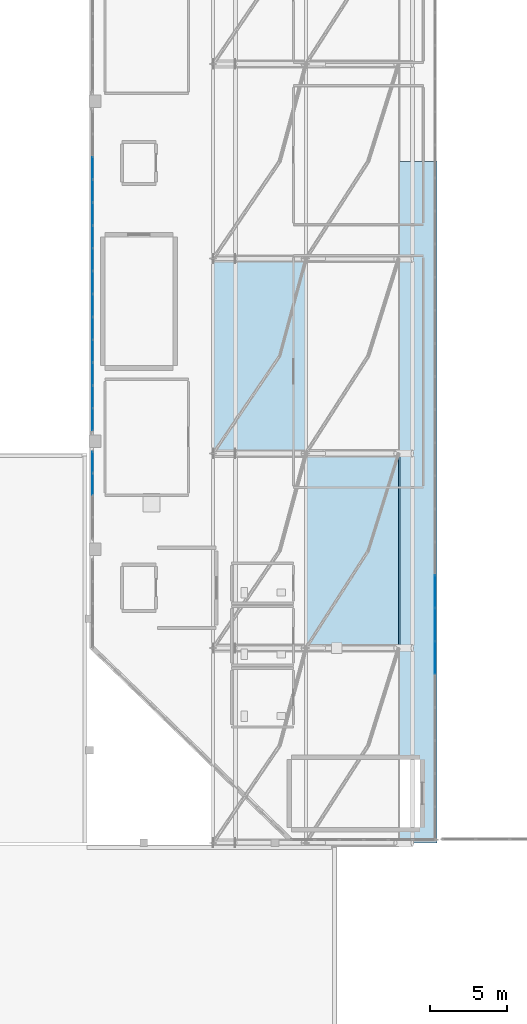
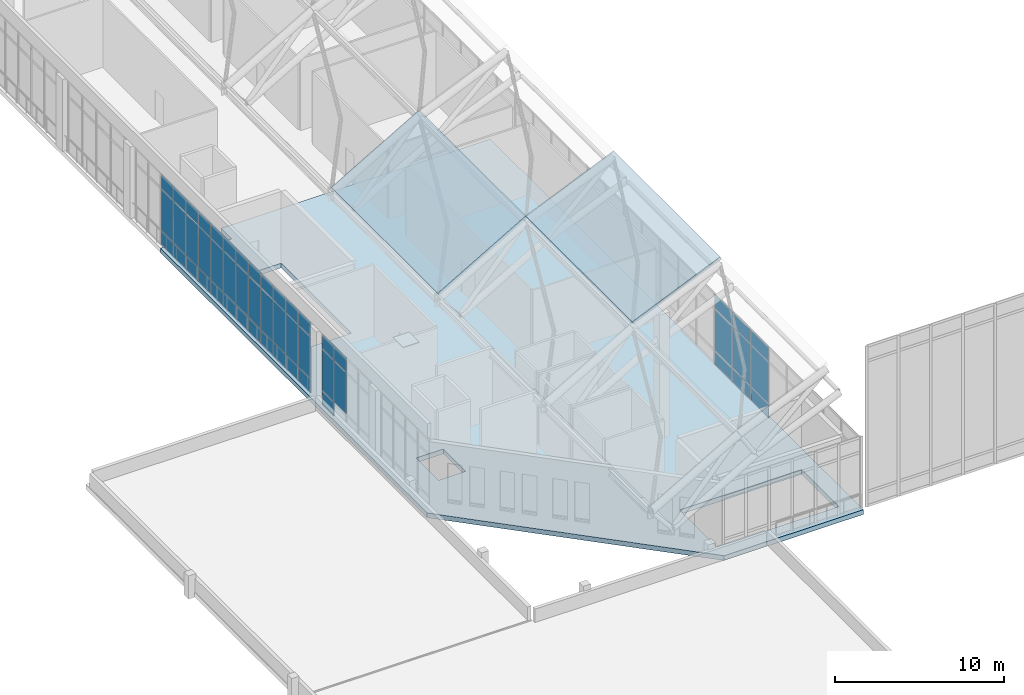
# One storey, part 25 of 42: 50 plates, 3 slabs, 3 elements without a shape of their own.
"""IFC4 building model written with IfcOpenShell, lengths in metres."""

from ifc_helpers import new_model, si_unit, derived_unit, direction, frame, origin, origin_2d, place, context, subcontext, project, spatial, polyline, rectangle, outline, extrude, material, layer, layer_set, type_object, element, aggregate, save


model = new_model("IFC4")

# Units and contexts
model_context = context("Model", 3, precision=1e-05, world=origin(), true_north=direction((0.0, 1.0)))
body_context = subcontext(model_context, "Body", "Model", "MODEL_VIEW")
ifc_project = project(units=[si_unit("LENGTHUNIT", "METRE"), si_unit("AREAUNIT", "SQUARE_METRE"), si_unit("VOLUMEUNIT", "CUBIC_METRE"), si_unit("PLANEANGLEUNIT", "RADIAN"), si_unit("MASSUNIT", "GRAM", prefix="KILO"), derived_unit("THERMALTRANSMITTANCEUNIT", [(si_unit("MASSUNIT", "GRAM", prefix="KILO"), 1), (si_unit("TIMEUNIT", "SECOND"), -3), (si_unit("THERMODYNAMICTEMPERATUREUNIT", "KELVIN"), -1)])], contexts=[model_context])

# Site, building, storey
site_placement = place(None, origin())
site = spatial("IfcSite", under=ifc_project, at=site_placement, CompositionType="ELEMENT")
building_placement = place(site_placement, origin())
building = spatial("IfcBuilding", under=site, at=building_placement, Name="Valcora Ridge Arena", CompositionType="ELEMENT")
storey_placement = place(building_placement, frame((0.0, 0.0, 26.39990234375)))
storey = spatial("IfcBuildingStorey", under=building, at=storey_placement, Name="L05", CompositionType="ELEMENT", Elevation=26.39990234375)

# Curtain wall, plates
ifc_material_1 = material(Name="Anodised dark bronze architectural aluminium 6063-T6", Category="aluminium")
ifc_layer_1 = layer(ifc_material_1, 0.14990234375, Name="Anodised dark bronze architectural aluminium 6063-T6")
ifc_layer_set_1 = layer_set([ifc_layer_1], Name="Anodised dark bronze architectural aluminium 6063-T6")
curtain_wall_type_1 = type_object("IfcCurtainWallType", Name="TY-CURTAINWALL-CW-V1-SKY-057X52", PredefinedType="NOTDEFINED", material=ifc_layer_set_1)
curtain_wall_1_placement = place(storey_placement, origin())
curtain_wall_1 = element("IfcCurtainWall", 1, at=curtain_wall_1_placement, inside=storey, type_object=curtain_wall_type_1, Name="CW-V1-SKY-057X52 CW-0164", PredefinedType="NOTDEFINED")
ifc_material_2 = material(Name="Low-iron solar-control double glazing SHGC 0.28", Category="glass")
ifc_layer_2 = layer(ifc_material_2, 0.028076171875, Name="Low-iron solar-control double glazing SHGC 0.28")
ifc_layer_set_2 = layer_set([ifc_layer_2], Name="Low-iron solar-control double glazing SHGC 0.28")
plate_type_1 = type_object("IfcPlateType", Name="TY-PLT-CWP-1355X0975", PredefinedType="CURTAIN_PANEL", material=ifc_layer_set_2)
plate_1_placement = place(storey_placement, frame((16.199951171875, 44.632568359375, 0.050048828125), z_axis=(0.0, 0.0, 1.0), x_axis=(0.0, 1.0, 0.0)))
plate_1 = element("IfcPlate", 2, at=plate_1_placement, type_object=plate_type_1, Name="CW-0164/P03-00", PredefinedType="CURTAIN_PANEL", context=body_context, shape_type="SweptSolid", body=[
    extrude(rectangle(XDim=1.35498046875, YDim=0.028076171875, at=origin_2d()), origin(), (0.0, 0.0, 1.0), 0.97509765625),
])
ifc_layer_3 = layer(ifc_material_2, 0.028076171875, Name="Low-iron solar-control double glazing SHGC 0.28")
ifc_layer_set_3 = layer_set([ifc_layer_3], Name="Low-iron solar-control double glazing SHGC 0.28")
plate_type_2 = type_object("IfcPlateType", Name="TY-PLT-CWP-1355X1025", PredefinedType="CURTAIN_PANEL", material=ifc_layer_set_3)
plate_2_placement = place(storey_placement, frame((16.199951171875, 44.632568359375, 4.105224609375), z_axis=(0.0, 0.0, 1.0), x_axis=(0.0, 1.0, 0.0)))
plate_2 = element("IfcPlate", 3, at=plate_2_placement, type_object=plate_type_2, Name="CW-0164/P03-02", PredefinedType="CURTAIN_PANEL", context=body_context, shape_type="SweptSolid", body=[
    extrude(rectangle(XDim=1.35498046875, YDim=0.028076171875, at=origin_2d()), origin(), (0.0, 0.0, 1.0), 1.02490234375),
])
ifc_layer_4 = layer(ifc_material_2, 0.028076171875, Name="Low-iron solar-control double glazing SHGC 0.28")
ifc_layer_set_4 = layer_set([ifc_layer_4], Name="Low-iron solar-control double glazing SHGC 0.28")
plate_type_3 = type_object("IfcPlateType", Name="TY-PLT-CWP-1355X2980", PredefinedType="CURTAIN_PANEL", material=ifc_layer_set_4)
plate_3_placement = place(storey_placement, frame((16.199951171875, 44.632568359375, 1.0751953125), z_axis=(0.0, 0.0, 1.0), x_axis=(0.0, 1.0, 0.0)))
plate_3 = element("IfcPlate", 4, at=plate_3_placement, type_object=plate_type_3, Name="CW-0164/P03-01", PredefinedType="CURTAIN_PANEL", context=body_context, shape_type="SweptSolid", body=[
    extrude(rectangle(XDim=1.35498046875, YDim=0.028076171875, at=origin_2d()), origin(), (0.0, 0.0, 1.0), 2.97998046875),
])
ifc_layer_5 = layer(ifc_material_2, 0.028076171875, Name="Low-iron solar-control double glazing SHGC 0.28")
ifc_layer_set_5 = layer_set([ifc_layer_5], Name="Low-iron solar-control double glazing SHGC 0.28")
plate_type_4 = type_object("IfcPlateType", Name="TY-PLT-CWP-1380X1025", PredefinedType="CURTAIN_PANEL", material=ifc_layer_set_5)
plate_4_placement = place(storey_placement, frame((16.199951171875, 43.215087890625, 4.105224609375), z_axis=(0.0, 0.0, 1.0), x_axis=(0.0, 1.0, 0.0)))
plate_4 = element("IfcPlate", 5, at=plate_4_placement, type_object=plate_type_4, Name="CW-0164/P02-02", PredefinedType="CURTAIN_PANEL", context=body_context, shape_type="SweptSolid", body=[
    extrude(rectangle(XDim=1.3798828125, YDim=0.028076171875, at=origin_2d()), origin(), (0.0, 0.0, 1.0), 1.02490234375),
])
ifc_layer_6 = layer(ifc_material_2, 0.028076171875, Name="Low-iron solar-control double glazing SHGC 0.28")
ifc_layer_set_6 = layer_set([ifc_layer_6], Name="Low-iron solar-control double glazing SHGC 0.28")
plate_type_5 = type_object("IfcPlateType", Name="TY-PLT-CWP-1380X2980", PredefinedType="CURTAIN_PANEL", material=ifc_layer_set_6)
plate_5_placement = place(storey_placement, frame((16.199951171875, 43.215087890625, 1.0751953125), z_axis=(0.0, 0.0, 1.0), x_axis=(0.0, 1.0, 0.0)))
plate_5 = element("IfcPlate", 6, at=plate_5_placement, type_object=plate_type_5, Name="CW-0164/P02-01", PredefinedType="CURTAIN_PANEL", context=body_context, shape_type="SweptSolid", body=[
    extrude(rectangle(XDim=1.3798828125, YDim=0.028076171875, at=origin_2d()), origin(), (0.0, 0.0, 1.0), 2.97998046875),
])
aggregate(curtain_wall_1, [plate_5, plate_4, plate_1, plate_3, plate_2])

ifc_layer_7 = layer(ifc_material_1, 0.14990234375, Name="Anodised dark bronze architectural aluminium 6063-T6")
ifc_layer_set_7 = layer_set([ifc_layer_7], Name="Anodised dark bronze architectural aluminium 6063-T6")
curtain_wall_type_2 = type_object("IfcCurtainWallType", Name="TY-CURTAINWALL-CW-V1-SKY-207X52", PredefinedType="NOTDEFINED", material=ifc_layer_set_7)
curtain_wall_2_placement = place(storey_placement, origin())
curtain_wall_2 = element("IfcCurtainWall", 7, at=curtain_wall_2_placement, inside=storey, type_object=curtain_wall_type_2, Name="CW-V1-SKY-207X52 CW-0165", PredefinedType="NOTDEFINED")
ifc_layer_8 = layer(ifc_material_2, 0.028076171875, Name="Low-iron solar-control double glazing SHGC 0.28")
ifc_layer_set_8 = layer_set([ifc_layer_8], Name="Low-iron solar-control double glazing SHGC 0.28")
plate_type_6 = type_object("IfcPlateType", Name="TY-PLT-CWP-1405X0975", PredefinedType="CURTAIN_PANEL", material=ifc_layer_set_8)
plate_6_placement = place(storey_placement, frame((16.199951171875, 47.392578125, 0.050048828125), z_axis=(0.0, 0.0, 1.0), x_axis=(0.0, 1.0, 0.0)))
plate_6 = element("IfcPlate", 8, at=plate_6_placement, type_object=plate_type_6, Name="CW-0165/P00-00", PredefinedType="CURTAIN_PANEL", context=body_context, shape_type="SweptSolid", body=[
    extrude(rectangle(XDim=1.405029296875, YDim=0.028076171875, at=origin_2d()), origin(), (0.0, 0.0, 1.0), 0.97509765625),
])
ifc_layer_9 = layer(ifc_material_2, 0.028076171875, Name="Low-iron solar-control double glazing SHGC 0.28")
ifc_layer_set_9 = layer_set([ifc_layer_9], Name="Low-iron solar-control double glazing SHGC 0.28")
plate_type_7 = type_object("IfcPlateType", Name="TY-PLT-CWP-1405X1025", PredefinedType="CURTAIN_PANEL", material=ifc_layer_set_9)
plate_7_placement = place(storey_placement, frame((16.199951171875, 47.392578125, 4.105224609375), z_axis=(0.0, 0.0, 1.0), x_axis=(0.0, 1.0, 0.0)))
plate_7 = element("IfcPlate", 9, at=plate_7_placement, type_object=plate_type_7, Name="CW-0165/P00-02", PredefinedType="CURTAIN_PANEL", context=body_context, shape_type="SweptSolid", body=[
    extrude(rectangle(XDim=1.405029296875, YDim=0.028076171875, at=origin_2d()), origin(), (0.0, 0.0, 1.0), 1.02490234375),
])
ifc_layer_10 = layer(ifc_material_2, 0.028076171875, Name="Low-iron solar-control double glazing SHGC 0.28")
ifc_layer_set_10 = layer_set([ifc_layer_10], Name="Low-iron solar-control double glazing SHGC 0.28")
plate_type_8 = type_object("IfcPlateType", Name="TY-PLT-CWP-1405X2980", PredefinedType="CURTAIN_PANEL", material=ifc_layer_set_10)
plate_8_placement = place(storey_placement, frame((16.199951171875, 47.392578125, 1.0751953125), z_axis=(0.0, 0.0, 1.0), x_axis=(0.0, 1.0, 0.0)))
plate_8 = element("IfcPlate", 10, at=plate_8_placement, type_object=plate_type_8, Name="CW-0165/P00-01", PredefinedType="CURTAIN_PANEL", context=body_context, shape_type="SweptSolid", body=[
    extrude(rectangle(XDim=1.405029296875, YDim=0.028076171875, at=origin_2d()), origin(), (0.0, 0.0, 1.0), 2.97998046875),
])
ifc_layer_11 = layer(ifc_material_2, 0.028076171875, Name="Low-iron solar-control double glazing SHGC 0.28")
ifc_layer_set_11 = layer_set([ifc_layer_11], Name="Low-iron solar-control double glazing SHGC 0.28")
plate_type_9 = type_object("IfcPlateType", Name="TY-PLT-CWP-1430X0975", PredefinedType="CURTAIN_PANEL", material=ifc_layer_set_11)
plate_9_placement = place(storey_placement, frame((16.199951171875, 48.860107421875, 0.050048828125), z_axis=(0.0, 0.0, 1.0), x_axis=(0.0, 1.0, 0.0)))
plate_9 = element("IfcPlate", 11, at=plate_9_placement, type_object=plate_type_9, Name="CW-0165/P01-00", PredefinedType="CURTAIN_PANEL", context=body_context, shape_type="SweptSolid", body=[
    extrude(rectangle(XDim=1.429931640625, YDim=0.028076171875, at=origin_2d()), origin(), (0.0, 0.0, 1.0), 0.97509765625),
])
plate_10_placement = place(storey_placement, frame((16.199951171875, 50.340087890625, 0.050048828125), z_axis=(0.0, 0.0, 1.0), x_axis=(0.0, 1.0, 0.0)))
plate_10 = element("IfcPlate", 12, at=plate_10_placement, type_object=plate_type_9, Name="CW-0165/P02-00", PredefinedType="CURTAIN_PANEL", context=body_context, shape_type="SweptSolid", body=[
    extrude(rectangle(XDim=1.429931640625, YDim=0.028076171875, at=origin_2d()), origin(), (0.0, 0.0, 1.0), 0.97509765625),
])
plate_11_placement = place(storey_placement, frame((16.199951171875, 51.820068359375, 0.050048828125), z_axis=(0.0, 0.0, 1.0), x_axis=(0.0, 1.0, 0.0)))
plate_11 = element("IfcPlate", 13, at=plate_11_placement, type_object=plate_type_9, Name="CW-0165/P03-00", PredefinedType="CURTAIN_PANEL", context=body_context, shape_type="SweptSolid", body=[
    extrude(rectangle(XDim=1.429931640625, YDim=0.028076171875, at=origin_2d()), origin(), (0.0, 0.0, 1.0), 0.97509765625),
])
plate_12_placement = place(storey_placement, frame((16.199951171875, 53.300048828125, 0.050048828125), z_axis=(0.0, 0.0, 1.0), x_axis=(0.0, 1.0, 0.0)))
plate_12 = element("IfcPlate", 14, at=plate_12_placement, type_object=plate_type_9, Name="CW-0165/P04-00", PredefinedType="CURTAIN_PANEL", context=body_context, shape_type="SweptSolid", body=[
    extrude(rectangle(XDim=1.429931640625, YDim=0.028076171875, at=origin_2d()), origin(), (0.0, 0.0, 1.0), 0.97509765625),
])
plate_13_placement = place(storey_placement, frame((16.199951171875, 54.780029296875, 0.050048828125), z_axis=(0.0, 0.0, 1.0), x_axis=(0.0, 1.0, 0.0)))
plate_13 = element("IfcPlate", 15, at=plate_13_placement, type_object=plate_type_9, Name="CW-0165/P05-00", PredefinedType="CURTAIN_PANEL", context=body_context, shape_type="SweptSolid", body=[
    extrude(rectangle(XDim=1.429931640625, YDim=0.028076171875, at=origin_2d()), origin(), (0.0, 0.0, 1.0), 0.97509765625),
])
plate_14_placement = place(storey_placement, frame((16.199951171875, 56.260009765625, 0.050048828125), z_axis=(0.0, 0.0, 1.0), x_axis=(0.0, 1.0, 0.0)))
plate_14 = element("IfcPlate", 16, at=plate_14_placement, type_object=plate_type_9, Name="CW-0165/P06-00", PredefinedType="CURTAIN_PANEL", context=body_context, shape_type="SweptSolid", body=[
    extrude(rectangle(XDim=1.429931640625, YDim=0.028076171875, at=origin_2d()), origin(), (0.0, 0.0, 1.0), 0.97509765625),
])
plate_15_placement = place(storey_placement, frame((16.199951171875, 57.739990234375, 0.050048828125), z_axis=(0.0, 0.0, 1.0), x_axis=(0.0, 1.0, 0.0)))
plate_15 = element("IfcPlate", 17, at=plate_15_placement, type_object=plate_type_9, Name="CW-0165/P07-00", PredefinedType="CURTAIN_PANEL", context=body_context, shape_type="SweptSolid", body=[
    extrude(rectangle(XDim=1.429931640625, YDim=0.028076171875, at=origin_2d()), origin(), (0.0, 0.0, 1.0), 0.97509765625),
])
plate_16_placement = place(storey_placement, frame((16.199951171875, 59.219970703125, 0.050048828125), z_axis=(0.0, 0.0, 1.0), x_axis=(0.0, 1.0, 0.0)))
plate_16 = element("IfcPlate", 18, at=plate_16_placement, type_object=plate_type_9, Name="CW-0165/P08-00", PredefinedType="CURTAIN_PANEL", context=body_context, shape_type="SweptSolid", body=[
    extrude(rectangle(XDim=1.429931640625, YDim=0.028076171875, at=origin_2d()), origin(), (0.0, 0.0, 1.0), 0.97509765625),
])
plate_17_placement = place(storey_placement, frame((16.199951171875, 60.699951171875, 0.050048828125), z_axis=(0.0, 0.0, 1.0), x_axis=(0.0, 1.0, 0.0)))
plate_17 = element("IfcPlate", 19, at=plate_17_placement, type_object=plate_type_9, Name="CW-0165/P09-00", PredefinedType="CURTAIN_PANEL", context=body_context, shape_type="SweptSolid", body=[
    extrude(rectangle(XDim=1.429931640625, YDim=0.028076171875, at=origin_2d()), origin(), (0.0, 0.0, 1.0), 0.97509765625),
])
plate_18_placement = place(storey_placement, frame((16.199951171875, 62.179931640625, 0.050048828125), z_axis=(0.0, 0.0, 1.0), x_axis=(0.0, 1.0, 0.0)))
plate_18 = element("IfcPlate", 20, at=plate_18_placement, type_object=plate_type_9, Name="CW-0165/P10-00", PredefinedType="CURTAIN_PANEL", context=body_context, shape_type="SweptSolid", body=[
    extrude(rectangle(XDim=1.429931640625, YDim=0.028076171875, at=origin_2d()), origin(), (0.0, 0.0, 1.0), 0.97509765625),
])
plate_19_placement = place(storey_placement, frame((16.199951171875, 63.659912109375, 0.050048828125), z_axis=(0.0, 0.0, 1.0), x_axis=(0.0, 1.0, 0.0)))
plate_19 = element("IfcPlate", 21, at=plate_19_placement, type_object=plate_type_9, Name="CW-0165/P11-00", PredefinedType="CURTAIN_PANEL", context=body_context, shape_type="SweptSolid", body=[
    extrude(rectangle(XDim=1.429931640625, YDim=0.028076171875, at=origin_2d()), origin(), (0.0, 0.0, 1.0), 0.97509765625),
])
ifc_layer_12 = layer(ifc_material_2, 0.028076171875, Name="Low-iron solar-control double glazing SHGC 0.28")
ifc_layer_set_12 = layer_set([ifc_layer_12], Name="Low-iron solar-control double glazing SHGC 0.28")
plate_type_10 = type_object("IfcPlateType", Name="TY-PLT-CWP-1430X1025", PredefinedType="CURTAIN_PANEL", material=ifc_layer_set_12)
plate_20_placement = place(storey_placement, frame((16.199951171875, 48.860107421875, 4.105224609375), z_axis=(0.0, 0.0, 1.0), x_axis=(0.0, 1.0, 0.0)))
plate_20 = element("IfcPlate", 22, at=plate_20_placement, type_object=plate_type_10, Name="CW-0165/P01-02", PredefinedType="CURTAIN_PANEL", context=body_context, shape_type="SweptSolid", body=[
    extrude(rectangle(XDim=1.429931640625, YDim=0.028076171875, at=origin_2d()), origin(), (0.0, 0.0, 1.0), 1.02490234375),
])
plate_21_placement = place(storey_placement, frame((16.199951171875, 50.340087890625, 4.105224609375), z_axis=(0.0, 0.0, 1.0), x_axis=(0.0, 1.0, 0.0)))
plate_21 = element("IfcPlate", 23, at=plate_21_placement, type_object=plate_type_10, Name="CW-0165/P02-02", PredefinedType="CURTAIN_PANEL", context=body_context, shape_type="SweptSolid", body=[
    extrude(rectangle(XDim=1.429931640625, YDim=0.028076171875, at=origin_2d()), origin(), (0.0, 0.0, 1.0), 1.02490234375),
])
plate_22_placement = place(storey_placement, frame((16.199951171875, 51.820068359375, 4.105224609375), z_axis=(0.0, 0.0, 1.0), x_axis=(0.0, 1.0, 0.0)))
plate_22 = element("IfcPlate", 24, at=plate_22_placement, type_object=plate_type_10, Name="CW-0165/P03-02", PredefinedType="CURTAIN_PANEL", context=body_context, shape_type="SweptSolid", body=[
    extrude(rectangle(XDim=1.429931640625, YDim=0.028076171875, at=origin_2d()), origin(), (0.0, 0.0, 1.0), 1.02490234375),
])
plate_23_placement = place(storey_placement, frame((16.199951171875, 53.300048828125, 4.105224609375), z_axis=(0.0, 0.0, 1.0), x_axis=(0.0, 1.0, 0.0)))
plate_23 = element("IfcPlate", 25, at=plate_23_placement, type_object=plate_type_10, Name="CW-0165/P04-02", PredefinedType="CURTAIN_PANEL", context=body_context, shape_type="SweptSolid", body=[
    extrude(rectangle(XDim=1.429931640625, YDim=0.028076171875, at=origin_2d()), origin(), (0.0, 0.0, 1.0), 1.02490234375),
])
plate_24_placement = place(storey_placement, frame((16.199951171875, 54.780029296875, 4.105224609375), z_axis=(0.0, 0.0, 1.0), x_axis=(0.0, 1.0, 0.0)))
plate_24 = element("IfcPlate", 26, at=plate_24_placement, type_object=plate_type_10, Name="CW-0165/P05-02", PredefinedType="CURTAIN_PANEL", context=body_context, shape_type="SweptSolid", body=[
    extrude(rectangle(XDim=1.429931640625, YDim=0.028076171875, at=origin_2d()), origin(), (0.0, 0.0, 1.0), 1.02490234375),
])
plate_25_placement = place(storey_placement, frame((16.199951171875, 56.260009765625, 4.105224609375), z_axis=(0.0, 0.0, 1.0), x_axis=(0.0, 1.0, 0.0)))
plate_25 = element("IfcPlate", 27, at=plate_25_placement, type_object=plate_type_10, Name="CW-0165/P06-02", PredefinedType="CURTAIN_PANEL", context=body_context, shape_type="SweptSolid", body=[
    extrude(rectangle(XDim=1.429931640625, YDim=0.028076171875, at=origin_2d()), origin(), (0.0, 0.0, 1.0), 1.02490234375),
])
plate_26_placement = place(storey_placement, frame((16.199951171875, 57.739990234375, 4.105224609375), z_axis=(0.0, 0.0, 1.0), x_axis=(0.0, 1.0, 0.0)))
plate_26 = element("IfcPlate", 28, at=plate_26_placement, type_object=plate_type_10, Name="CW-0165/P07-02", PredefinedType="CURTAIN_PANEL", context=body_context, shape_type="SweptSolid", body=[
    extrude(rectangle(XDim=1.429931640625, YDim=0.028076171875, at=origin_2d()), origin(), (0.0, 0.0, 1.0), 1.02490234375),
])
plate_27_placement = place(storey_placement, frame((16.199951171875, 59.219970703125, 4.105224609375), z_axis=(0.0, 0.0, 1.0), x_axis=(0.0, 1.0, 0.0)))
plate_27 = element("IfcPlate", 29, at=plate_27_placement, type_object=plate_type_10, Name="CW-0165/P08-02", PredefinedType="CURTAIN_PANEL", context=body_context, shape_type="SweptSolid", body=[
    extrude(rectangle(XDim=1.429931640625, YDim=0.028076171875, at=origin_2d()), origin(), (0.0, 0.0, 1.0), 1.02490234375),
])
plate_28_placement = place(storey_placement, frame((16.199951171875, 60.699951171875, 4.105224609375), z_axis=(0.0, 0.0, 1.0), x_axis=(0.0, 1.0, 0.0)))
plate_28 = element("IfcPlate", 30, at=plate_28_placement, type_object=plate_type_10, Name="CW-0165/P09-02", PredefinedType="CURTAIN_PANEL", context=body_context, shape_type="SweptSolid", body=[
    extrude(rectangle(XDim=1.429931640625, YDim=0.028076171875, at=origin_2d()), origin(), (0.0, 0.0, 1.0), 1.02490234375),
])
plate_29_placement = place(storey_placement, frame((16.199951171875, 62.179931640625, 4.105224609375), z_axis=(0.0, 0.0, 1.0), x_axis=(0.0, 1.0, 0.0)))
plate_29 = element("IfcPlate", 31, at=plate_29_placement, type_object=plate_type_10, Name="CW-0165/P10-02", PredefinedType="CURTAIN_PANEL", context=body_context, shape_type="SweptSolid", body=[
    extrude(rectangle(XDim=1.429931640625, YDim=0.028076171875, at=origin_2d()), origin(), (0.0, 0.0, 1.0), 1.02490234375),
])
plate_30_placement = place(storey_placement, frame((16.199951171875, 63.659912109375, 4.105224609375), z_axis=(0.0, 0.0, 1.0), x_axis=(0.0, 1.0, 0.0)))
plate_30 = element("IfcPlate", 32, at=plate_30_placement, type_object=plate_type_10, Name="CW-0165/P11-02", PredefinedType="CURTAIN_PANEL", context=body_context, shape_type="SweptSolid", body=[
    extrude(rectangle(XDim=1.429931640625, YDim=0.028076171875, at=origin_2d()), origin(), (0.0, 0.0, 1.0), 1.02490234375),
])
ifc_layer_13 = layer(ifc_material_2, 0.028076171875, Name="Low-iron solar-control double glazing SHGC 0.28")
ifc_layer_set_13 = layer_set([ifc_layer_13], Name="Low-iron solar-control double glazing SHGC 0.28")
plate_type_11 = type_object("IfcPlateType", Name="TY-PLT-CWP-1430X2980", PredefinedType="CURTAIN_PANEL", material=ifc_layer_set_13)
plate_31_placement = place(storey_placement, frame((16.199951171875, 48.860107421875, 1.0751953125), z_axis=(0.0, 0.0, 1.0), x_axis=(0.0, 1.0, 0.0)))
plate_31 = element("IfcPlate", 33, at=plate_31_placement, type_object=plate_type_11, Name="CW-0165/P01-01", PredefinedType="CURTAIN_PANEL", context=body_context, shape_type="SweptSolid", body=[
    extrude(rectangle(XDim=1.429931640625, YDim=0.028076171875, at=origin_2d()), origin(), (0.0, 0.0, 1.0), 2.97998046875),
])
plate_32_placement = place(storey_placement, frame((16.199951171875, 50.340087890625, 1.0751953125), z_axis=(0.0, 0.0, 1.0), x_axis=(0.0, 1.0, 0.0)))
plate_32 = element("IfcPlate", 34, at=plate_32_placement, type_object=plate_type_11, Name="CW-0165/P02-01", PredefinedType="CURTAIN_PANEL", context=body_context, shape_type="SweptSolid", body=[
    extrude(rectangle(XDim=1.429931640625, YDim=0.028076171875, at=origin_2d()), origin(), (0.0, 0.0, 1.0), 2.97998046875),
])
plate_33_placement = place(storey_placement, frame((16.199951171875, 51.820068359375, 1.0751953125), z_axis=(0.0, 0.0, 1.0), x_axis=(0.0, 1.0, 0.0)))
plate_33 = element("IfcPlate", 35, at=plate_33_placement, type_object=plate_type_11, Name="CW-0165/P03-01", PredefinedType="CURTAIN_PANEL", context=body_context, shape_type="SweptSolid", body=[
    extrude(rectangle(XDim=1.429931640625, YDim=0.028076171875, at=origin_2d()), origin(), (0.0, 0.0, 1.0), 2.97998046875),
])
plate_34_placement = place(storey_placement, frame((16.199951171875, 53.300048828125, 1.0751953125), z_axis=(0.0, 0.0, 1.0), x_axis=(0.0, 1.0, 0.0)))
plate_34 = element("IfcPlate", 36, at=plate_34_placement, type_object=plate_type_11, Name="CW-0165/P04-01", PredefinedType="CURTAIN_PANEL", context=body_context, shape_type="SweptSolid", body=[
    extrude(rectangle(XDim=1.429931640625, YDim=0.028076171875, at=origin_2d()), origin(), (0.0, 0.0, 1.0), 2.97998046875),
])
plate_35_placement = place(storey_placement, frame((16.199951171875, 54.780029296875, 1.0751953125), z_axis=(0.0, 0.0, 1.0), x_axis=(0.0, 1.0, 0.0)))
plate_35 = element("IfcPlate", 37, at=plate_35_placement, type_object=plate_type_11, Name="CW-0165/P05-01", PredefinedType="CURTAIN_PANEL", context=body_context, shape_type="SweptSolid", body=[
    extrude(rectangle(XDim=1.429931640625, YDim=0.028076171875, at=origin_2d()), origin(), (0.0, 0.0, 1.0), 2.97998046875),
])
plate_36_placement = place(storey_placement, frame((16.199951171875, 56.260009765625, 1.0751953125), z_axis=(0.0, 0.0, 1.0), x_axis=(0.0, 1.0, 0.0)))
plate_36 = element("IfcPlate", 38, at=plate_36_placement, type_object=plate_type_11, Name="CW-0165/P06-01", PredefinedType="CURTAIN_PANEL", context=body_context, shape_type="SweptSolid", body=[
    extrude(rectangle(XDim=1.429931640625, YDim=0.028076171875, at=origin_2d()), origin(), (0.0, 0.0, 1.0), 2.97998046875),
])
plate_37_placement = place(storey_placement, frame((16.199951171875, 57.739990234375, 1.0751953125), z_axis=(0.0, 0.0, 1.0), x_axis=(0.0, 1.0, 0.0)))
plate_37 = element("IfcPlate", 39, at=plate_37_placement, type_object=plate_type_11, Name="CW-0165/P07-01", PredefinedType="CURTAIN_PANEL", context=body_context, shape_type="SweptSolid", body=[
    extrude(rectangle(XDim=1.429931640625, YDim=0.028076171875, at=origin_2d()), origin(), (0.0, 0.0, 1.0), 2.97998046875),
])
plate_38_placement = place(storey_placement, frame((16.199951171875, 59.219970703125, 1.0751953125), z_axis=(0.0, 0.0, 1.0), x_axis=(0.0, 1.0, 0.0)))
plate_38 = element("IfcPlate", 40, at=plate_38_placement, type_object=plate_type_11, Name="CW-0165/P08-01", PredefinedType="CURTAIN_PANEL", context=body_context, shape_type="SweptSolid", body=[
    extrude(rectangle(XDim=1.429931640625, YDim=0.028076171875, at=origin_2d()), origin(), (0.0, 0.0, 1.0), 2.97998046875),
])
plate_39_placement = place(storey_placement, frame((16.199951171875, 60.699951171875, 1.0751953125), z_axis=(0.0, 0.0, 1.0), x_axis=(0.0, 1.0, 0.0)))
plate_39 = element("IfcPlate", 41, at=plate_39_placement, type_object=plate_type_11, Name="CW-0165/P09-01", PredefinedType="CURTAIN_PANEL", context=body_context, shape_type="SweptSolid", body=[
    extrude(rectangle(XDim=1.429931640625, YDim=0.028076171875, at=origin_2d()), origin(), (0.0, 0.0, 1.0), 2.97998046875),
])
plate_40_placement = place(storey_placement, frame((16.199951171875, 62.179931640625, 1.0751953125), z_axis=(0.0, 0.0, 1.0), x_axis=(0.0, 1.0, 0.0)))
plate_40 = element("IfcPlate", 42, at=plate_40_placement, type_object=plate_type_11, Name="CW-0165/P10-01", PredefinedType="CURTAIN_PANEL", context=body_context, shape_type="SweptSolid", body=[
    extrude(rectangle(XDim=1.429931640625, YDim=0.028076171875, at=origin_2d()), origin(), (0.0, 0.0, 1.0), 2.97998046875),
])
plate_41_placement = place(storey_placement, frame((16.199951171875, 63.659912109375, 1.0751953125), z_axis=(0.0, 0.0, 1.0), x_axis=(0.0, 1.0, 0.0)))
plate_41 = element("IfcPlate", 43, at=plate_41_placement, type_object=plate_type_11, Name="CW-0165/P11-01", PredefinedType="CURTAIN_PANEL", context=body_context, shape_type="SweptSolid", body=[
    extrude(rectangle(XDim=1.429931640625, YDim=0.028076171875, at=origin_2d()), origin(), (0.0, 0.0, 1.0), 2.97998046875),
])
aggregate(curtain_wall_2, [plate_6, plate_8, plate_7, plate_9, plate_31, plate_20, plate_10, plate_32, plate_21, plate_11, plate_33, plate_22, plate_12, plate_34, plate_23, plate_13, plate_35, plate_24, plate_14, plate_36, plate_25, plate_15, plate_37, plate_26, plate_16, plate_38, plate_27, plate_17, plate_39, plate_28, plate_18, plate_40, plate_29, plate_19, plate_41, plate_30])

ifc_layer_14 = layer(ifc_material_1, 0.14990234375, Name="Anodised dark bronze architectural aluminium 6063-T6")
ifc_layer_set_14 = layer_set([ifc_layer_14], Name="Anodised dark bronze architectural aluminium 6063-T6")
curtain_wall_type_3 = type_object("IfcCurtainWallType", Name="TY-CURTAINWALL-CW-V1-SKY-878X52", PredefinedType="NOTDEFINED", material=ifc_layer_set_14)
curtain_wall_3_placement = place(storey_placement, origin())
curtain_wall_3 = element("IfcCurtainWall", 44, at=curtain_wall_3_placement, inside=storey, type_object=curtain_wall_type_3, Name="CW-V1-SKY-878X52 CW-0171", PredefinedType="NOTDEFINED")
ifc_layer_15 = layer(ifc_material_2, 0.028076171875, Name="Low-iron solar-control double glazing SHGC 0.28")
ifc_layer_set_15 = layer_set([ifc_layer_15], Name="Low-iron solar-control double glazing SHGC 0.28")
plate_type_12 = type_object("IfcPlateType", Name="TY-PLT-CWP-2091X0975", PredefinedType="CURTAIN_PANEL", material=ifc_layer_set_15)
plate_42_placement = place(storey_placement, frame((38.35009765625, 34.119384765625, 0.050048828125), z_axis=(0.0, 0.0, 1.0), x_axis=(0.0, 1.0, 0.0)))
plate_42 = element("IfcPlate", 45, at=plate_42_placement, type_object=plate_type_12, Name="CW-0171/P06-00", PredefinedType="CURTAIN_PANEL", context=body_context, shape_type="SweptSolid", body=[
    extrude(rectangle(XDim=2.091064453125, YDim=0.028076171875, at=origin_2d()), origin(), (0.0, 0.0, 1.0), 0.97509765625),
])
ifc_layer_16 = layer(ifc_material_2, 0.028076171875, Name="Low-iron solar-control double glazing SHGC 0.28")
ifc_layer_set_16 = layer_set([ifc_layer_16], Name="Low-iron solar-control double glazing SHGC 0.28")
plate_type_13 = type_object("IfcPlateType", Name="TY-PLT-CWP-2091X1025", PredefinedType="CURTAIN_PANEL", material=ifc_layer_set_16)
plate_43_placement = place(storey_placement, frame((38.35009765625, 34.119384765625, 4.105224609375), z_axis=(0.0, 0.0, 1.0), x_axis=(0.0, 1.0, 0.0)))
plate_43 = element("IfcPlate", 46, at=plate_43_placement, type_object=plate_type_13, Name="CW-0171/P06-02", PredefinedType="CURTAIN_PANEL", context=body_context, shape_type="SweptSolid", body=[
    extrude(rectangle(XDim=2.091064453125, YDim=0.028076171875, at=origin_2d()), origin(), (0.0, 0.0, 1.0), 1.02490234375),
])
ifc_layer_17 = layer(ifc_material_2, 0.028076171875, Name="Low-iron solar-control double glazing SHGC 0.28")
ifc_layer_set_17 = layer_set([ifc_layer_17], Name="Low-iron solar-control double glazing SHGC 0.28")
plate_type_14 = type_object("IfcPlateType", Name="TY-PLT-CWP-2091X2980", PredefinedType="CURTAIN_PANEL", material=ifc_layer_set_17)
plate_44_placement = place(storey_placement, frame((38.35009765625, 34.119384765625, 1.0751953125), z_axis=(0.0, 0.0, 1.0), x_axis=(0.0, 1.0, 0.0)))
plate_44 = element("IfcPlate", 47, at=plate_44_placement, type_object=plate_type_14, Name="CW-0171/P06-01", PredefinedType="CURTAIN_PANEL", context=body_context, shape_type="SweptSolid", body=[
    extrude(rectangle(XDim=2.091064453125, YDim=0.028076171875, at=origin_2d()), origin(), (0.0, 0.0, 1.0), 2.97998046875),
])
ifc_layer_18 = layer(ifc_material_2, 0.028076171875, Name="Low-iron solar-control double glazing SHGC 0.28")
ifc_layer_set_18 = layer_set([ifc_layer_18], Name="Low-iron solar-control double glazing SHGC 0.28")
plate_type_15 = type_object("IfcPlateType", Name="TY-PLT-CWP-2092X0975", PredefinedType="CURTAIN_PANEL", material=ifc_layer_set_18)
plate_45_placement = place(storey_placement, frame((38.35009765625, 31.97802734375, 0.050048828125), z_axis=(0.0, 0.0, 1.0), x_axis=(0.0, 1.0, 0.0)))
plate_45 = element("IfcPlate", 48, at=plate_45_placement, type_object=plate_type_15, Name="CW-0171/P05-00", PredefinedType="CURTAIN_PANEL", context=body_context, shape_type="SweptSolid", body=[
    extrude(rectangle(XDim=2.092041015625, YDim=0.028076171875, at=origin_2d()), origin(), (0.0, 0.0, 1.0), 0.97509765625),
])
plate_46_placement = place(storey_placement, frame((38.35009765625, 36.260986328125, 0.050048828125), z_axis=(0.0, 0.0, 1.0), x_axis=(0.0, 1.0, 0.0)))
plate_46 = element("IfcPlate", 49, at=plate_46_placement, type_object=plate_type_15, Name="CW-0171/P07-00", PredefinedType="CURTAIN_PANEL", context=body_context, shape_type="SweptSolid", body=[
    extrude(rectangle(XDim=2.092041015625, YDim=0.028076171875, at=origin_2d()), origin(), (0.0, 0.0, 1.0), 0.97509765625),
])
ifc_layer_19 = layer(ifc_material_2, 0.028076171875, Name="Low-iron solar-control double glazing SHGC 0.28")
ifc_layer_set_19 = layer_set([ifc_layer_19], Name="Low-iron solar-control double glazing SHGC 0.28")
plate_type_16 = type_object("IfcPlateType", Name="TY-PLT-CWP-2092X1025", PredefinedType="CURTAIN_PANEL", material=ifc_layer_set_19)
plate_47_placement = place(storey_placement, frame((38.35009765625, 31.97802734375, 4.105224609375), z_axis=(0.0, 0.0, 1.0), x_axis=(0.0, 1.0, 0.0)))
plate_47 = element("IfcPlate", 50, at=plate_47_placement, type_object=plate_type_16, Name="CW-0171/P05-02", PredefinedType="CURTAIN_PANEL", context=body_context, shape_type="SweptSolid", body=[
    extrude(rectangle(XDim=2.092041015625, YDim=0.028076171875, at=origin_2d()), origin(), (0.0, 0.0, 1.0), 1.02490234375),
])
plate_48_placement = place(storey_placement, frame((38.35009765625, 36.260986328125, 4.105224609375), z_axis=(0.0, 0.0, 1.0), x_axis=(0.0, 1.0, 0.0)))
plate_48 = element("IfcPlate", 51, at=plate_48_placement, type_object=plate_type_16, Name="CW-0171/P07-02", PredefinedType="CURTAIN_PANEL", context=body_context, shape_type="SweptSolid", body=[
    extrude(rectangle(XDim=2.092041015625, YDim=0.028076171875, at=origin_2d()), origin(), (0.0, 0.0, 1.0), 1.02490234375),
])
ifc_layer_20 = layer(ifc_material_2, 0.028076171875, Name="Low-iron solar-control double glazing SHGC 0.28")
ifc_layer_set_20 = layer_set([ifc_layer_20], Name="Low-iron solar-control double glazing SHGC 0.28")
plate_type_17 = type_object("IfcPlateType", Name="TY-PLT-CWP-2092X2980", PredefinedType="CURTAIN_PANEL", material=ifc_layer_set_20)
plate_49_placement = place(storey_placement, frame((38.35009765625, 31.97802734375, 1.0751953125), z_axis=(0.0, 0.0, 1.0), x_axis=(0.0, 1.0, 0.0)))
plate_49 = element("IfcPlate", 52, at=plate_49_placement, type_object=plate_type_17, Name="CW-0171/P05-01", PredefinedType="CURTAIN_PANEL", context=body_context, shape_type="SweptSolid", body=[
    extrude(rectangle(XDim=2.092041015625, YDim=0.028076171875, at=origin_2d()), origin(), (0.0, 0.0, 1.0), 2.97998046875),
])
plate_50_placement = place(storey_placement, frame((38.35009765625, 36.260986328125, 1.0751953125), z_axis=(0.0, 0.0, 1.0), x_axis=(0.0, 1.0, 0.0)))
plate_50 = element("IfcPlate", 53, at=plate_50_placement, type_object=plate_type_17, Name="CW-0171/P07-01", PredefinedType="CURTAIN_PANEL", context=body_context, shape_type="SweptSolid", body=[
    extrude(rectangle(XDim=2.092041015625, YDim=0.028076171875, at=origin_2d()), origin(), (0.0, 0.0, 1.0), 2.97998046875),
])
aggregate(curtain_wall_3, [plate_45, plate_49, plate_47, plate_42, plate_44, plate_43, plate_46, plate_50, plate_48])

# Slabs
ifc_material_3 = material(Name="Concrete C40/50", Category="concrete")
ifc_layer_21 = layer(ifc_material_3, 0.219970703125, Name="Concrete C40/50")
ifc_layer_set_21 = layer_set([ifc_layer_21], Name="Concrete C40/50")
slab_type_1 = type_object("IfcSlabType", Name="TY-SLAB-RF-ARC-S01", PredefinedType="ROOF", material=ifc_layer_set_21)
slab_1_placement = place(storey_placement, frame((24.0, 45.199951171875, 5.400146484375), z_axis=(-0.501926643599, 0.0, 0.864910194439), x_axis=(0.864910194439, 0.0, 0.501926643599)))
element("IfcSlab", 54, at=slab_1_placement, inside=storey, type_object=slab_type_1, Name="RF-ARC-S01 SLB-RF-0025", PredefinedType="ROOF", context=body_context, shape_type="SweptSolid", body=[
    extrude(outline(polyline([(0.0, 0.0), (6.93713640858278, 0.0), (6.93713640858278, 12.60009765625), (0.0, 12.60009765625), (0.0, 0.0)])), origin(), (0.0, 0.0, -1.0), 0.219970703125),
])
ifc_layer_22 = layer(ifc_material_3, 0.219970703125, Name="Concrete C40/50")
ifc_layer_set_22 = layer_set([ifc_layer_22], Name="Concrete C40/50")
slab_type_2 = type_object("IfcSlabType", Name="TY-SLAB-RF-ARC-S02", PredefinedType="ROOF", material=ifc_layer_set_22)
slab_2_placement = place(storey_placement, frame((30.0, 32.60009765625, 8.882080078125), z_axis=(-0.397337061961, 0.0, 0.917672740792), x_axis=(0.917672740792, 0.0, 0.397337061961)))
element("IfcSlab", 55, at=slab_2_placement, inside=storey, type_object=slab_type_2, Name="RF-ARC-S02 SLB-RF-0014", PredefinedType="ROOF", context=body_context, shape_type="SweptSolid", body=[
    extrude(outline(polyline([(0.0, 0.0), (6.5382785532286345, 0.0), (6.5382785532286345, 12.599853515625), (0.0, 12.599853515625), (0.0, 0.0)])), origin(), (0.0, 0.0, -1.0), 0.219970703125),
])
ifc_layer_23 = layer(ifc_material_3, 0.340087890625, Name="Concrete C40/50")
ifc_layer_set_23 = layer_set([ifc_layer_23], Name="Concrete C40/50")
slab_type_3 = type_object("IfcSlabType", Name="TY-SLAB-SL-GOND-340-SW", PredefinedType="FLOOR", material=ifc_layer_set_23)
slab_3_placement = place(storey_placement, frame((0.0, 0.0, -0.33984375)))
element("IfcSlab", 56, at=slab_3_placement, inside=storey, type_object=slab_type_3, Name="SL-GOND-340-SW SLB-0052", PredefinedType="FLOOR", context=body_context, shape_type="SweptSolid", body=[
    extrude(outline(polyline([(16.0, 64.10009765625), (16.0, 32.60009765625), (29.0, 20.0), (38.5, 20.0), (38.5, 64.10009765625), (20.1201171875, 64.10009765625), (20.1201171875, 62.830078125), (18.280029296875, 62.830078125), (18.280029296875, 64.10009765625), (16.0, 64.10009765625)]), holes=[polyline([(37.39990234375, 25.39990234375), (29.080078125, 25.39990234375), (29.080078125, 21.0), (37.39990234375, 21.0), (37.39990234375, 25.39990234375)]), polyline([(21.39990234375, 59.199951171875), (17.0, 59.199951171875), (17.0, 50.8798828125), (21.39990234375, 50.8798828125), (21.39990234375, 59.199951171875)]), polyline([(20.1201171875, 35.179931640625), (20.1201171875, 37.820068359375), (18.280029296875, 37.820068359375), (18.280029296875, 35.179931640625), (20.1201171875, 35.179931640625)])]), origin(), (0.0, 0.0, 1.0), 0.33984375),
])

save(model, "model.ifc")
